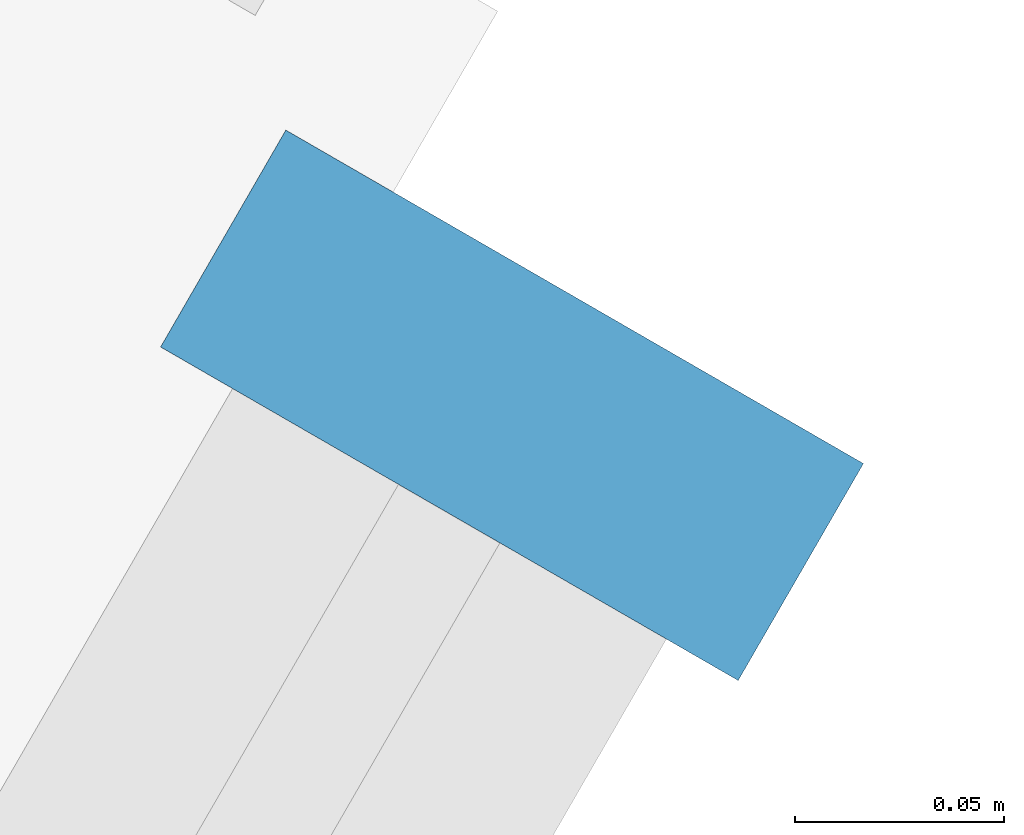
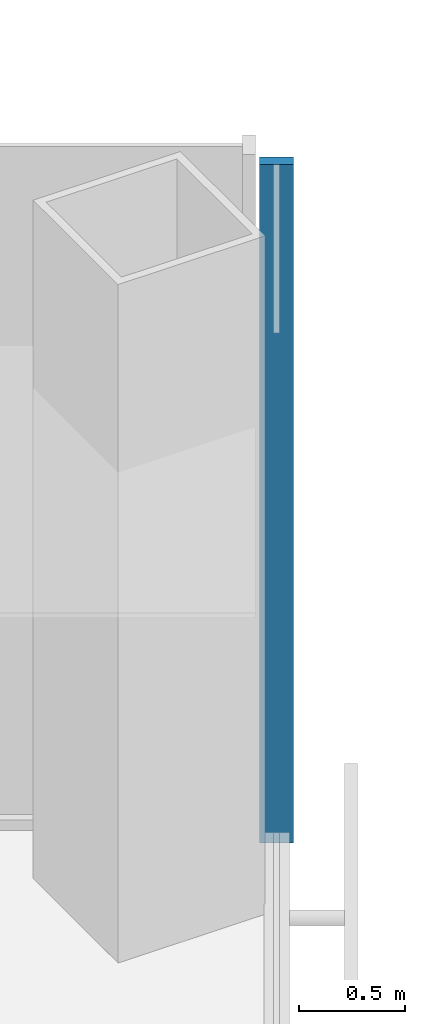
# One storey, part 9 of 18: 1 member, 1 element without a shape of its own.
"""IFC4 building model written with IfcOpenShell, lengths in metres."""

from ifc_helpers import new_model, si_unit, direction, frame, origin, origin_2d, place, context, subcontext, project, spatial, rectangle, extrude, material, material_profile, profile_set, type_object, element, aggregate, save


model = new_model("IFC4")

# Units and contexts
model_context = context("Model", 3, precision=1e-05, world=origin(), true_north=direction((0.0, 1.0)))
body_context = subcontext(model_context, "Body", "Model", "MODEL_VIEW")
ifc_project = project(units=[si_unit("LENGTHUNIT", "METRE"), si_unit("AREAUNIT", "SQUARE_METRE"), si_unit("VOLUMEUNIT", "CUBIC_METRE"), si_unit("PLANEANGLEUNIT", "RADIAN"), si_unit("MASSUNIT", "GRAM", prefix="KILO")], contexts=[model_context])

# Site, building, storey
site_placement = place(None, origin())
site = spatial("IfcSite", under=ifc_project, at=site_placement, CompositionType="ELEMENT")
building_placement = place(site_placement, origin())
building = spatial("IfcBuilding", under=site, at=building_placement, Name="Kasaneha Research Tower", CompositionType="ELEMENT")
storey_placement = place(building_placement, frame((0.0, 0.0, 72.89990234375)))
storey = spatial("IfcBuildingStorey", under=building, at=storey_placement, Name="L18", CompositionType="ELEMENT", Elevation=72.89990234375)

# Curtain wall, member
ifc_material_1 = material(Name="Glass and aluminium", Category="aluminium")
curtain_wall_type = type_object("IfcCurtainWallType", Name="Low-rise office curtain wall", PredefinedType="USERDEFINED", material=ifc_material_1)
curtain_wall_placement = place(storey_placement, origin())
curtain_wall = element("IfcCurtainWall", 1, at=curtain_wall_placement, inside=storey, type_object=curtain_wall_type, Name="CW-O1 L18 run 05a", ObjectType="UNITISED CURTAIN WALL", PredefinedType="USERDEFINED")
ifc_material_2 = material(Name="Aluminium 6063-T6", Category="aluminium")
ifc_material_profile = material_profile(ifc_material_2, rectangle(XDim=0.06005859375, YDim=0.159912109375, at=origin_2d()), Name="CW-O1 mullion 60x160")
ifc_profile_set = profile_set([ifc_material_profile], Name="Aluminium 6063-T6")
member_type = type_object("IfcMemberType", Name="CW-O1 mullion", PredefinedType="MULLION", material=ifc_profile_set)
member_placement = place(storey_placement, frame((32.012939453125, -6.39306640625, 0.0), z_axis=(0.0, 0.0, 1.0), x_axis=(0.500000011442, 0.866025397178, 0.0)))
member = element("IfcMember", 2, at=member_placement, type_object=member_type, Name="CW-O1 mullion 4", PredefinedType="MULLION", context=body_context, shape_type="SweptSolid", body=[
    extrude(rectangle(XDim=0.06005859375, YDim=0.159912109375, at=origin_2d()), origin(), (0.0, 0.0, 1.0), 3.900146484375),
])
aggregate(curtain_wall, [member])

save(model, "model.ifc")
